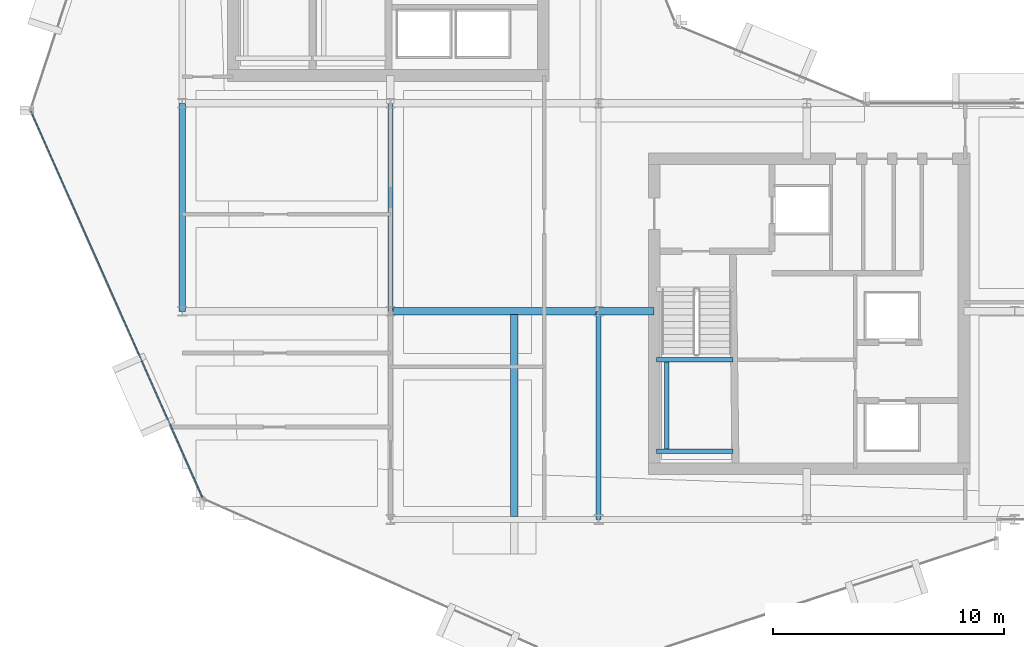
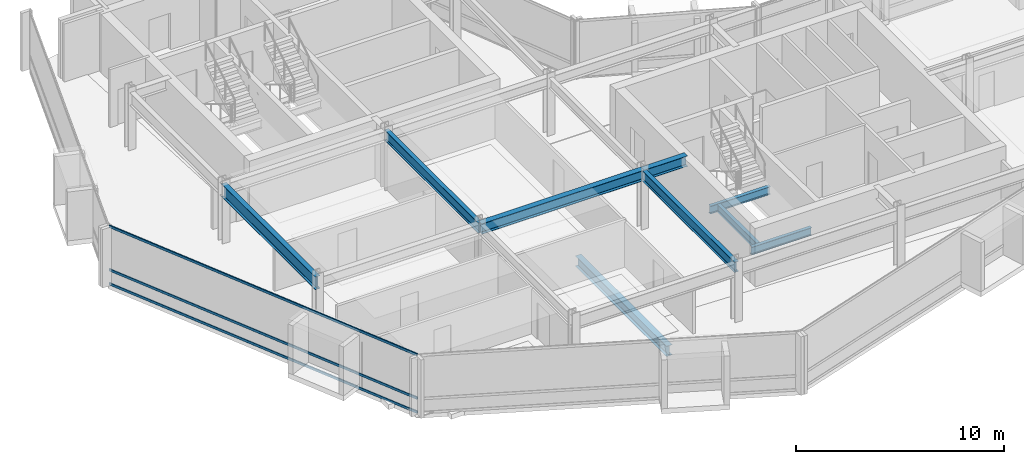
# One storey, part 5 of 27: 9 beams, 3 members, 1 element without a shape of its own.
"""IFC4 building model written with IfcOpenShell, lengths in metres."""

from ifc_helpers import new_model, si_unit, direction, frame, origin, origin_2d, place, context, subcontext, project, spatial, hollow_rectangle, i_section, extrude, material, layer, layer_set, material_profile, profile_set, type_object, element, aggregate, save


model = new_model("IFC4")

# Units and contexts
model_context = context("Model", 3, precision=1e-05, world=origin(), true_north=direction((0.0, 1.0)))
body_context = subcontext(model_context, "Body", "Model", "MODEL_VIEW")
ifc_project = project(units=[si_unit("LENGTHUNIT", "METRE"), si_unit("AREAUNIT", "SQUARE_METRE"), si_unit("VOLUMEUNIT", "CUBIC_METRE"), si_unit("PLANEANGLEUNIT", "RADIAN"), si_unit("MASSUNIT", "GRAM", prefix="KILO")], contexts=[model_context])

# Site, building, storey
site_placement = place(None, origin())
site = spatial("IfcSite", under=ifc_project, at=site_placement, CompositionType="ELEMENT")
building_placement = place(site_placement, origin())
building = spatial("IfcBuilding", under=site, at=building_placement, Name="Solvaryn Broadcast Tower", CompositionType="ELEMENT")
storey_placement = place(building_placement, frame((0.0, 0.0, 181.60009765625)))
storey = spatial("IfcBuildingStorey", under=building, at=storey_placement, Name="L45", CompositionType="ELEMENT", Elevation=181.60009765625)

# Beams
ifc_material_1 = material(Name="Steel ASTM A992 Grade 50", Category="steel")
ifc_material_profile_1 = material_profile(ifc_material_1, i_section(OverallWidth=0.323974609375, OverallDepth=0.611083984375, WebThickness=0.0126953125, FlangeThickness=0.01904296875, FilletRadius=0.014892578125, at=origin_2d()))
ifc_profile_set_1 = profile_set([ifc_material_profile_1], Name="Steel ASTM A992 Grade 50")
beam_type_1 = type_object("IfcBeamType", Name="BM-B1-W24X104", PredefinedType="BEAM", material=ifc_profile_set_1)
beam_1_placement = place(storey_placement, frame((23.35009765625, 17.875, -0.585693359375), z_axis=(0.0, -1.0, 0.0), x_axis=(1.0, 0.0, 0.0)))
element("IfcBeam", 1, at=beam_1_placement, inside=storey, type_object=beam_type_1, Name="L45 Bay-Box Back-Span Beam 1", PredefinedType="BEAM", context=body_context, shape_type="SweptSolid", body=[
    extrude(i_section(OverallWidth=0.323974609375, OverallDepth=0.611083984375, WebThickness=0.0126953125, FlangeThickness=0.01904296875, FilletRadius=0.014892578125, at=origin_2d()), origin(), (0.0, 0.0, 1.0), 8.75),
])
beam_2_placement = place(storey_placement, frame((18.0, 18.0, 3.114501953125), z_axis=(1.0, 0.0, 0.0), x_axis=(0.0, 1.0, 0.0)))
element("IfcBeam", 2, at=beam_2_placement, inside=storey, type_object=beam_type_1, Name="L45 Primary Beam X (18-27 @ Y=18)", PredefinedType="BEAM", context=body_context, shape_type="SweptSolid", body=[
    extrude(i_section(OverallWidth=0.323974609375, OverallDepth=0.611083984375, WebThickness=0.0126953125, FlangeThickness=0.01904296875, FilletRadius=0.014892578125, at=origin_2d()), origin(), (0.0, 0.0, 1.0), 9.0),
])
beam_3_placement = place(storey_placement, frame((27.0, 18.0, 3.114501953125), z_axis=(1.0, 0.0, 0.0), x_axis=(0.0, 1.0, 0.0)))
element("IfcBeam", 3, at=beam_3_placement, inside=storey, type_object=beam_type_1, Name="L45 Core Tie Beam CTE4", PredefinedType="BEAM", context=body_context, shape_type="SweptSolid", body=[
    extrude(i_section(OverallWidth=0.323974609375, OverallDepth=0.611083984375, WebThickness=0.0126953125, FlangeThickness=0.01904296875, FilletRadius=0.014892578125, at=origin_2d()), origin(), (0.0, 0.0, 1.0), 2.39990234375),
])
ifc_material_2 = material(Name="Steel ASTM A992 Grade 50", Category="steel")
ifc_material_profile_2 = material_profile(ifc_material_2, i_section(OverallWidth=0.22802734375, OverallDepth=0.60791015625, WebThickness=0.01123046875, FlangeThickness=0.017333984375, FilletRadius=0.014892578125, at=origin_2d()))
ifc_profile_set_2 = profile_set([ifc_material_profile_2], Name="Steel ASTM A992 Grade 50")
beam_type_2 = type_object("IfcBeamType", Name="BM-B2-W24X76", PredefinedType="BEAM", material=ifc_profile_set_2)
for number, where, z_axis, x_axis, name in (
    (4, (18.0, 18.0, 3.115966796875), (0.0, 1.0, 0.0), (-1.0, 0.0, 0.0), "L45 Primary Beam Y (18-27 @ X=18)"),
    (5, (27.0, 9.0, 3.115966796875), (0.0, 1.0, 0.0), (-1.0, 0.0, 0.0), "L45 Primary Beam Y (9-18 @ X=27)"),
):
    element("IfcBeam", number, at=place(storey_placement, frame(where, z_axis=z_axis, x_axis=x_axis)), inside=storey, type_object=beam_type_2, Name=name, PredefinedType="BEAM", context=body_context, shape_type="SweptSolid", body=[
        extrude(i_section(OverallWidth=0.22802734375, OverallDepth=0.60791015625, WebThickness=0.01123046875, FlangeThickness=0.017333984375, FilletRadius=0.014892578125, at=origin_2d()), origin(), (0.0, 0.0, 1.0), 9.0),
    ])
ifc_material_3 = material(Name="Steel ASTM A992 Grade 50", Category="steel")
ifc_material_profile_3 = material_profile(ifc_material_3, i_section(OverallWidth=0.18994140625, OverallDepth=0.45703125, WebThickness=0.009033203125, FlangeThickness=0.014404296875, FilletRadius=0.011962890625, at=origin_2d()))
ifc_profile_set_3 = profile_set([ifc_material_profile_3], Name="Steel ASTM A992 Grade 50")
beam_type_3 = type_object("IfcBeamType", Name="BM-B4-W18X50", PredefinedType="BEAM", material=ifc_profile_set_3)
for number, where, z_axis, x_axis, name in (
    (6, (29.5, 11.949951171875, 1.42138671875), (1.0, 0.0, 0.0), (0.0, 1.0, 0.0), "L45 ST3 Landing Support Beam 1A"),
    (7, (29.5, 15.909912109375, 1.42138671875), (1.0, 0.0, 0.0), (0.0, 1.0, 0.0), "L45 ST3 Landing Support Beam 1B"),
):
    element("IfcBeam", number, at=place(storey_placement, frame(where, z_axis=z_axis, x_axis=x_axis)), inside=storey, type_object=beam_type_3, Name=name, PredefinedType="BEAM", context=body_context, shape_type="SweptSolid", body=[
        extrude(i_section(OverallWidth=0.18994140625, OverallDepth=0.45703125, WebThickness=0.009033203125, FlangeThickness=0.014404296875, FilletRadius=0.011962890625, at=origin_2d()), origin(), (0.0, 0.0, 1.0), 3.320068359375),
    ])
beam_4_placement = place(storey_placement, frame((29.949951171875, 11.949951171875, 1.42138671875), z_axis=(0.0, 1.0, 0.0), x_axis=(-1.0, 0.0, 0.0)))
element("IfcBeam", 8, at=beam_4_placement, inside=storey, type_object=beam_type_3, Name="L45 ST3 Landing Cross Stringer 1C", PredefinedType="BEAM", context=body_context, shape_type="SweptSolid", body=[
    extrude(i_section(OverallWidth=0.18994140625, OverallDepth=0.45703125, WebThickness=0.009033203125, FlangeThickness=0.014404296875, FilletRadius=0.011962890625, at=origin_2d()), origin(), (0.0, 0.0, 1.0), 3.9599609375),
])
ifc_material_4 = material(Name="Steel ASTM A992 Grade 50", Category="steel")
ifc_material_profile_4 = material_profile(ifc_material_4, i_section(OverallWidth=0.26708984375, OverallDepth=0.76611328125, WebThickness=0.014892578125, FlangeThickness=0.023681640625, FilletRadius=0.01806640625, at=origin_2d()))
ifc_profile_set_4 = profile_set([ifc_material_profile_4], Name="Steel ASTM A992 Grade 50")
beam_type_4 = type_object("IfcBeamType", Name="BM-SP2-W30X124", PredefinedType="USERDEFINED", material=ifc_profile_set_4)
beam_5_placement = place(storey_placement, frame((9.0, 18.0, 3.036865234375), z_axis=(0.0, 1.0, 0.0), x_axis=(-1.0, 0.0, 0.0)))
element("IfcBeam", 9, at=beam_5_placement, inside=storey, type_object=beam_type_4, Name="L45 Spandrel Beam Y (18-27 @ X=9)", ObjectType="SPANDREL", PredefinedType="USERDEFINED", context=body_context, shape_type="SweptSolid", body=[
    extrude(i_section(OverallWidth=0.26708984375, OverallDepth=0.76611328125, WebThickness=0.014892578125, FlangeThickness=0.023681640625, FilletRadius=0.01806640625, at=origin_2d()), origin(), (0.0, 0.0, 1.0), 9.0),
])

# Curtain wall, members
ifc_material_5 = material(Name="Aluminium and Terracotta Unitised Curtain Wall", Category="masonry")
ifc_layer = layer(ifc_material_5, 0.199951171875)
ifc_layer_set = layer_set([ifc_layer], Name="CW-SYS2-LOWMID")
curtain_wall_type = type_object("IfcCurtainWallType", Name="CW-SYS2-LOWMID", PredefinedType="NOTDEFINED", material=ifc_layer_set)
curtain_wall_placement = place(storey_placement, origin())
curtain_wall = element("IfcCurtainWall", 10, at=curtain_wall_placement, inside=storey, type_object=curtain_wall_type, Name="L45 Curtain Wall DR2", PredefinedType="NOTDEFINED")
ifc_material_6 = material(Name="Anodised Aluminium 6063-T6", Category="aluminium")
ifc_material_profile_5 = material_profile(ifc_material_6, hollow_rectangle(XDim=0.06494140625, YDim=0.14990234375, WallThickness=0.00390625, InnerFilletRadius=0.00390625, OuterFilletRadius=0.008056640625, at=origin_2d()))
ifc_profile_set_5 = profile_set([ifc_material_profile_5], Name="Anodised Aluminium 6063-T6")
member_type = type_object("IfcMemberType", Name="CW-TRN-150", PredefinedType="USERDEFINED", material=ifc_profile_set_5)
member_1_placement = place(storey_placement, frame((2.457275390625, 26.651123046875, 0.02978515625), z_axis=(0.405901653299, -0.913916761992, 0.0), x_axis=(0.913916761992, 0.405901653299, 0.0)))
member_1 = element("IfcMember", 11, at=member_1_placement, type_object=member_type, Name="CWS2 transom 1.1", ObjectType="TRANSOM", PredefinedType="USERDEFINED", context=body_context, shape_type="SweptSolid", body=[
    extrude(hollow_rectangle(XDim=0.06494140625, YDim=0.14990234375, WallThickness=0.00390625, InnerFilletRadius=0.00390625, OuterFilletRadius=0.008056640625, at=origin_2d()), origin(), (0.0, 0.0, 1.0), 18.27099609375),
])
member_2_placement = place(storey_placement, frame((2.457275390625, 26.651123046875, 0.849853515625), z_axis=(0.405901653299, -0.913916761992, 0.0), x_axis=(0.913916761992, 0.405901653299, 0.0)))
member_2 = element("IfcMember", 12, at=member_2_placement, type_object=member_type, Name="CWS2 transom 1.2", ObjectType="TRANSOM", PredefinedType="USERDEFINED", context=body_context, shape_type="SweptSolid", body=[
    extrude(hollow_rectangle(XDim=0.06494140625, YDim=0.14990234375, WallThickness=0.00390625, InnerFilletRadius=0.00390625, OuterFilletRadius=0.008056640625, at=origin_2d()), origin(), (0.0, 0.0, 1.0), 18.27099609375),
])
member_3_placement = place(storey_placement, frame((2.457275390625, 26.651123046875, 3.389892578125), z_axis=(0.405901653299, -0.913916761992, 0.0), x_axis=(0.913916761992, 0.405901653299, 0.0)))
member_3 = element("IfcMember", 13, at=member_3_placement, type_object=member_type, Name="CWS2 transom 1.3", ObjectType="TRANSOM", PredefinedType="USERDEFINED", context=body_context, shape_type="SweptSolid", body=[
    extrude(hollow_rectangle(XDim=0.06494140625, YDim=0.14990234375, WallThickness=0.00390625, InnerFilletRadius=0.00390625, OuterFilletRadius=0.008056640625, at=origin_2d()), origin(), (0.0, 0.0, 1.0), 18.27099609375),
])
aggregate(curtain_wall, [member_1, member_2, member_3])

save(model, "model.ifc")
